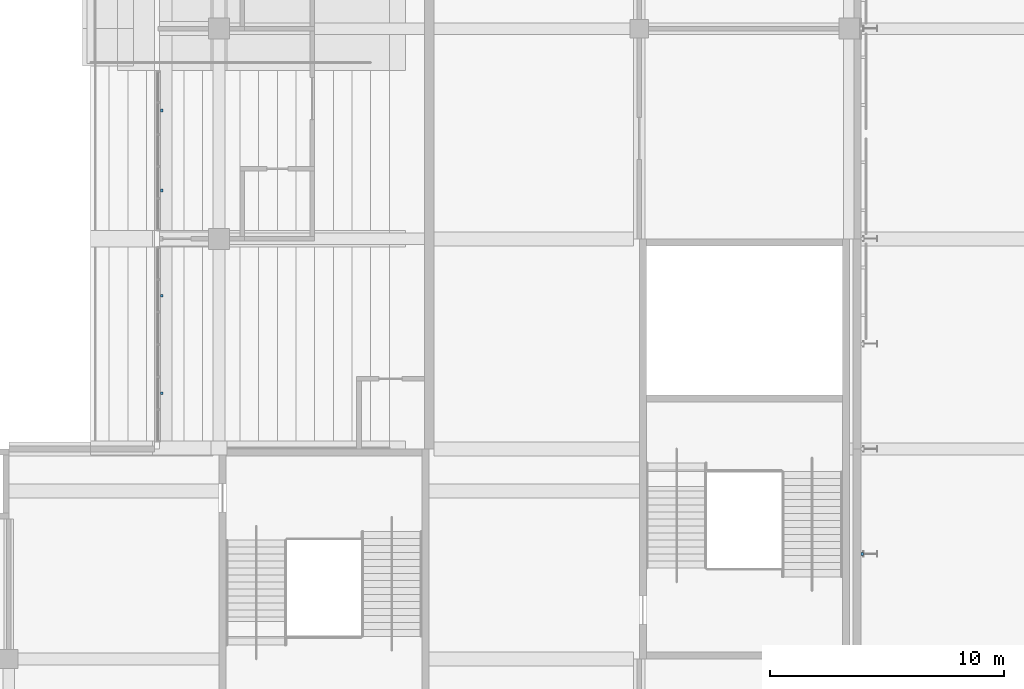
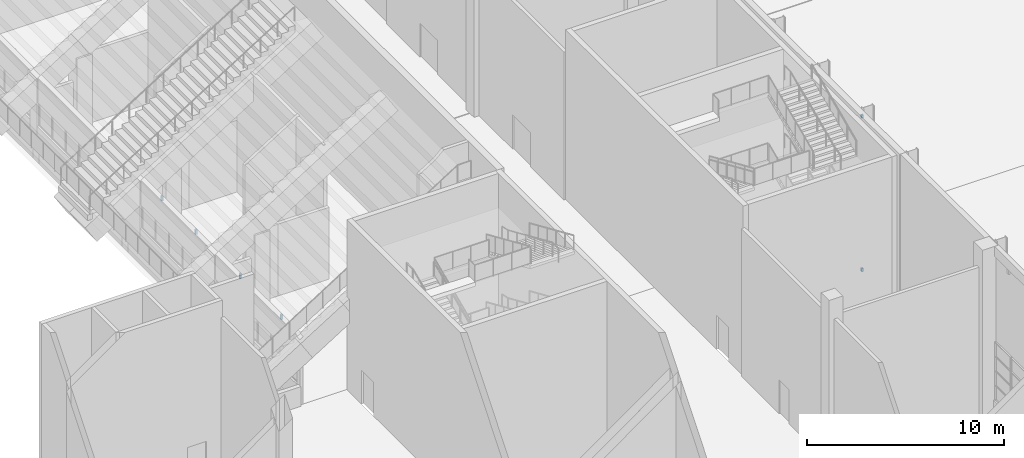
# One storey, part 121 of 182: 6 discrete accessories.
"""IFC4 building model written with IfcOpenShell, lengths in metres."""

import ifcopenshell
import ifcopenshell.guid

model = None  # the IFC model being written
_history = None  # IfcOwnerHistory: only IFC2X3 demands one
_inside = {}  # id of a spatial element -> (the spatial element, [elements in it])
_under = {}  # id of a project, library or spatial element -> (it, [spatial elements below it])
_declared = {}  # id of a project -> (the project, [libraries it declares])
_typed = {}  # id of a type object -> (the type object, [elements of that type])
_made_of = {}  # id of a material, layer set ... -> (it, [elements and type objects made of it])


def new_model(schema):
    """Start an empty IFC model of exactly this schema.

    Asked for "IFC4X3", IfcOpenShell would pick the latest addendum, in which some entities
    have other attributes; the version numbers below select the first issue.
    IFC2X3 requires an IfcOwnerHistory on every rooted entity: one is made here for all.
    """
    global model, _history
    if schema == "IFC4X3":
        model = ifcopenshell.file(schema_version=(4, 3, 0, 0))
    else:
        model = ifcopenshell.file(schema=schema)
    _inside.clear()
    _under.clear()
    _declared.clear()
    _typed.clear()
    _made_of.clear()
    _history = None
    if model.schema == "IFC2X3":
        org = make("IfcOrganization", Name="unknown")
        user = make(
            "IfcPersonAndOrganization",
            ThePerson=make("IfcPerson", FamilyName="unknown"),
            TheOrganization=org,
        )
        app = make(
            "IfcApplication",
            ApplicationDeveloper=org,
            Version="unknown",
            ApplicationFullName="unknown",
            ApplicationIdentifier="unknown",
        )
        _history = make(
            "IfcOwnerHistory",
            OwningUser=user,
            OwningApplication=app,
            ChangeAction="ADDED",
            CreationDate=0,
        )
    return model


def make(cls, **values):
    """One entity of the class cls with the attributes given. An attribute that is None is left unset."""
    return model.create_entity(
        cls, **{name: value for name, value in values.items() if value is not None}
    )


def rooted(cls, **values):
    """An entity with a GlobalId (a new one), such as an element, a storey or a relation."""
    return make(cls, GlobalId=ifcopenshell.guid.new(), OwnerHistory=_history, **values)


def si_unit(unit_type, name, prefix=None):
    """IfcSIUnit, for example si_unit("LENGTHUNIT", "METRE", prefix="MILLI")."""
    return make("IfcSIUnit", UnitType=unit_type, Prefix=prefix, Name=name)


def assignment(units):
    """IfcUnitAssignment: the units of a project."""
    return None if units is None else make("IfcUnitAssignment", Units=units)


def point(xyz):
    """IfcCartesianPoint."""
    return None if xyz is None else make("IfcCartesianPoint", Coordinates=xyz)


def direction(xyz):
    """IfcDirection."""
    return None if xyz is None else make("IfcDirection", DirectionRatios=xyz)


def frame(location, z_axis=None, x_axis=None):
    """IfcAxis2Placement3D, a coordinate frame: its origin and axes. An axis left out is left unset."""
    return make(
        "IfcAxis2Placement3D",
        Location=point(location),
        Axis=direction(z_axis),
        RefDirection=direction(x_axis),
    )


def frame_2d(location, x_axis=None):
    """IfcAxis2Placement2D, a coordinate frame in the plane: its origin and x axis."""
    return make(
        "IfcAxis2Placement2D", Location=point(location), RefDirection=direction(x_axis)
    )


def origin():
    """The frame at (0, 0, 0) with its axes left unset."""
    return frame((0.0, 0.0, 0.0))


def origin_2d():
    """The frame at (0, 0) in the plane with its x axis left unset."""
    return frame_2d((0.0, 0.0))


def place(relative_to, where):
    """IfcLocalPlacement: puts the frame where relative to a parent placement (None: the world)."""
    return make(
        "IfcLocalPlacement", PlacementRelTo=relative_to, RelativePlacement=where
    )


def context(
    kind, dimensions, precision=None, world=None, true_north=None, identifier=None
):
    """IfcGeometricRepresentationContext, for example the 3D "Model" context."""
    return make(
        "IfcGeometricRepresentationContext",
        ContextIdentifier=identifier,
        ContextType=kind,
        CoordinateSpaceDimension=dimensions,
        Precision=precision,
        WorldCoordinateSystem=world,
        TrueNorth=true_north,
    )


def subcontext(parent, identifier, kind, view, scale=None):
    """IfcGeometricRepresentationSubContext, for example "Body" below "Model"."""
    return make(
        "IfcGeometricRepresentationSubContext",
        ContextIdentifier=identifier,
        ContextType=kind,
        ParentContext=parent,
        TargetScale=scale,
        TargetView=view,
    )


def project(units=None, contexts=None):
    """IfcProject with its units and contexts."""
    return rooted(
        "IfcProject",
        Name="project",
        RepresentationContexts=contexts,
        UnitsInContext=assignment(units),
    )


def spatial(cls, under=None, at=None, **own):
    """A site, building, storey or space (cls), placed at a placement, below another one or the project."""
    s = rooted(cls, ObjectPlacement=at, **own)
    if under is not None:
        _under.setdefault(under.id(), (under, []))[1].append(s)
    return s


def profile(cls, at=None, kind="AREA", **sizes):
    """A parametric profile (cls). Its sizes go by their IFC names, for example OverallWidth=200.0."""
    return make(cls, ProfileType=kind, Position=at, **sizes)


def rectangle(**sizes):
    """IfcRectangleProfileDef."""
    return profile("IfcRectangleProfileDef", **sizes)


def extrude(swept, where, along, depth):
    """IfcExtrudedAreaSolid: the profile swept, set in the frame where, extruded along a direction by depth."""
    return make(
        "IfcExtrudedAreaSolid",
        SweptArea=swept,
        Position=where,
        ExtrudedDirection=direction(along),
        Depth=depth,
    )


def shape(context_of_items, identifier, shape_type, items):
    """IfcShapeRepresentation: the items that make up one representation, for example the "Body"."""
    return make(
        "IfcShapeRepresentation",
        ContextOfItems=context_of_items,
        RepresentationIdentifier=identifier,
        RepresentationType=shape_type,
        Items=items,
    )


def material(Name=None, Category=None):
    """IfcMaterial."""
    return make("IfcMaterial", Name=Name, Category=Category)


def made_of(thing, what):
    """Note that an element or type object is made of a material, layer set ...; save() writes the relation."""
    if what is not None:
        _made_of.setdefault(what.id(), (what, []))[1].append(thing)
    return thing


def type_object(cls, material=None, **own):
    """A type object (cls), such as IfcWallType, which elements share."""
    return made_of(rooted(cls, **own), material)


def element(
    cls,
    number,
    at=None,
    inside=None,
    cuts=None,
    type_object=None,
    material=None,
    context=None,
    identifier="Body",
    shape_type=None,
    held_by="IfcProductDefinitionShape",
    body=None,
    shapes=None,
    **own,
):
    """One element of the class cls, such as IfcWall. Its Tag is "e" and its number.

    at: its placement. inside: the storey or other place that contains it. cuts: it is an
    opening in that element (IfcRelVoidsElement). A single representation is given by context,
    identifier, shape_type and body (its items); several are given by shapes. held_by: the class
    of the entity that holds the representations. save() writes the other relations.
    """
    e = rooted(cls, Tag="e%d" % number, ObjectPlacement=at, **own)
    if body is not None:
        shapes = [shape(context, identifier, shape_type, body)]
    if shapes is not None:
        e.Representation = make(held_by, Representations=shapes)
    if inside is not None:
        _inside.setdefault(inside.id(), (inside, []))[1].append(e)
    if cuts is not None:
        rooted(
            "IfcRelVoidsElement", RelatingBuildingElement=cuts, RelatedOpeningElement=e
        )
    if type_object is not None:
        _typed.setdefault(type_object.id(), (type_object, []))[1].append(e)
    return made_of(e, material)


def aggregate(whole, parts):
    """IfcRelAggregates: a whole, such as a stair, and the parts it consists of."""
    return rooted("IfcRelAggregates", RelatingObject=whole, RelatedObjects=parts)


def save(model, path):
    """Write the relations noted so far, then the file.

    IfcRelAggregates (storeys below a building ...), IfcRelContainedInSpatialStructure (elements
    in a storey), IfcRelDefinesByType, IfcRelAssociatesMaterial and IfcRelDeclares: one each for
    every whole, place, type object, material and project.
    """
    for whole, parts in _under.values():
        aggregate(whole, parts)
    for where, things in _inside.values():
        rooted(
            "IfcRelContainedInSpatialStructure",
            RelatedElements=things,
            RelatingStructure=where,
        )
    for kind, things in _typed.values():
        rooted("IfcRelDefinesByType", RelatedObjects=things, RelatingType=kind)
    for what, things in _made_of.values():
        rooted("IfcRelAssociatesMaterial", RelatedObjects=things, RelatingMaterial=what)
    for by, libraries in _declared.values():
        rooted("IfcRelDeclares", RelatingContext=by, RelatedDefinitions=libraries)
    model.write(path)


model = new_model("IFC4")

# Units and contexts
model_context = context("Model", 3, precision=1e-05, world=origin(), true_north=direction((0.0, 1.0)))
body_context = subcontext(model_context, "Body", "Model", "MODEL_VIEW")
ifc_project = project(units=[si_unit("LENGTHUNIT", "METRE"), si_unit("AREAUNIT", "SQUARE_METRE"), si_unit("VOLUMEUNIT", "CUBIC_METRE"), si_unit("PLANEANGLEUNIT", "RADIAN"), si_unit("MASSUNIT", "GRAM", prefix="KILO")], contexts=[model_context])

# Site, building, storey
site_placement = place(None, origin())
site = spatial("IfcSite", under=ifc_project, at=site_placement, CompositionType="ELEMENT")
building_placement = place(site_placement, origin())
building = spatial("IfcBuilding", under=site, at=building_placement, Name="Silverbay Arena", CompositionType="ELEMENT")
storey_placement = place(building_placement, frame((0.0, 0.0, 11.5)))
storey = spatial("IfcBuildingStorey", under=building, at=storey_placement, Name="L02", CompositionType="ELEMENT", Elevation=11.5)

# Discrete accessories
ifc_material = material(Name="Steel S355", Category="steel")
discrete_accessory_type = type_object("IfcDiscreteAccessoryType", Name="Steel bracket plate", PredefinedType="BRACKET", material=ifc_material)
for number, where, z_axis, x_axis, name in (
    (1, (207.550048828125, 58.5, 0.39990234375), (0.0, 0.0, 1.0), (1.0, 0.0, 0.0), "Fin bracket"),
    (2, (207.550048828125, 58.5, 9.89990234375), (0.0, 0.0, 1.0), (1.0, 0.0, 0.0), "Fin bracket"),
):
    element("IfcDiscreteAccessory", number, at=place(storey_placement, frame(where, z_axis=z_axis, x_axis=x_axis)), inside=storey, type_object=discrete_accessory_type, Name=name, PredefinedType="BRACKET", context=body_context, shape_type="SweptSolid", body=[
        extrude(rectangle(XDim=0.10009765625, YDim=0.1201171875, at=origin_2d()), origin(), (0.0, 0.0, 1.0), 0.199951171875),
    ])
for number, where, z_axis, x_axis, name in (
    (3, (177.550048828125, 65.387451171875, 3.76416015625), (0.0, 0.0, 1.0), (0.0, 1.0, 0.0), "Fascia hanger bracket"),
    (4, (177.550048828125, 69.5625, 3.76416015625), (0.0, 0.0, 1.0), (0.0, 1.0, 0.0), "Fascia hanger bracket"),
    (5, (177.550048828125, 74.0625, 3.76416015625), (0.0, 0.0, 1.0), (0.0, 1.0, 0.0), "Fascia hanger bracket"),
    (6, (177.550048828125, 77.487548828125, 3.76416015625), (0.0, 0.0, 1.0), (0.0, 1.0, 0.0), "Fascia hanger bracket"),
):
    element("IfcDiscreteAccessory", number, at=place(storey_placement, frame(where, z_axis=z_axis, x_axis=x_axis)), inside=storey, type_object=discrete_accessory_type, Name=name, PredefinedType="BRACKET", context=body_context, shape_type="SweptSolid", body=[
        extrude(rectangle(XDim=0.1201171875, YDim=0.10009765625, at=origin_2d()), origin(), (0.0, 0.0, 1.0), 0.300048828125),
    ])

save(model, "model.ifc")
